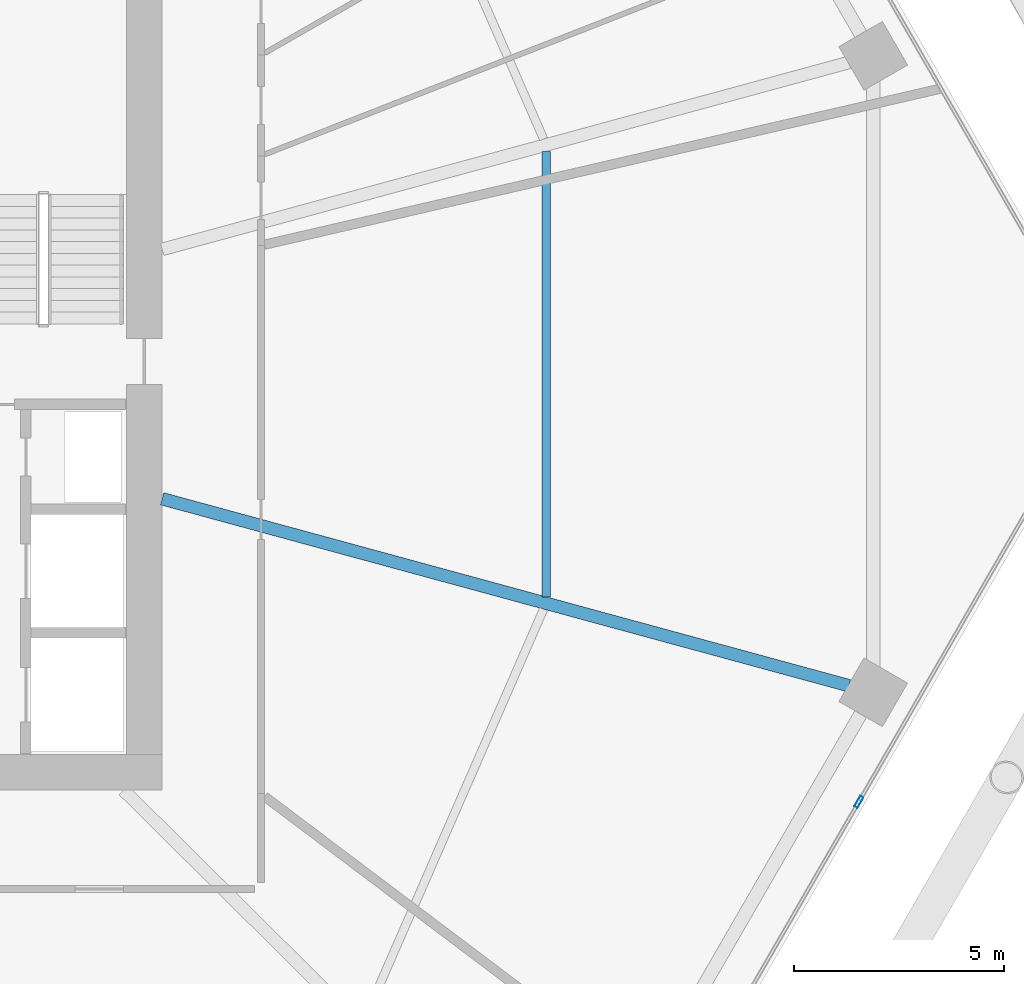
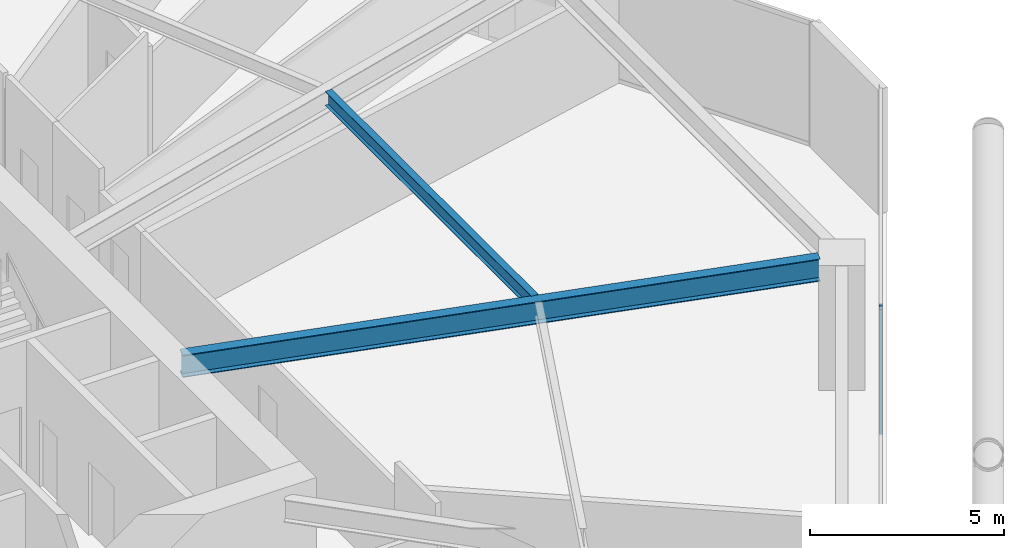
# One storey, part 11 of 29: 2 beams, 1 member, 1 element without a shape of its own.
"""IFC4 building model written with IfcOpenShell, lengths in metres."""

from ifc_helpers import new_model, si_unit, direction, frame, origin, origin_2d, place, context, subcontext, project, spatial, hollow_rectangle, i_section, extrude, material, material_profile, profile_set, type_object, element, aggregate, save


model = new_model("IFC4")

# Units and contexts
model_context = context("Model", 3, precision=1e-05, world=origin(), true_north=direction((0.0, 1.0)))
body_context = subcontext(model_context, "Body", "Model", "MODEL_VIEW")
ifc_project = project(units=[si_unit("LENGTHUNIT", "METRE"), si_unit("AREAUNIT", "SQUARE_METRE"), si_unit("VOLUMEUNIT", "CUBIC_METRE"), si_unit("PLANEANGLEUNIT", "RADIAN"), si_unit("MASSUNIT", "GRAM", prefix="KILO")], contexts=[model_context])

# Site, building, storey
site_placement = place(None, origin())
site = spatial("IfcSite", under=ifc_project, at=site_placement, CompositionType="ELEMENT")
building_placement = place(site_placement, origin())
building = spatial("IfcBuilding", under=site, at=building_placement, Name="Zuhravey Tower", CompositionType="ELEMENT")
storey_placement = place(building_placement, frame((0.0, 0.0, 41.39990234375)))
storey = spatial("IfcBuildingStorey", under=building, at=storey_placement, Name="L10", CompositionType="ELEMENT", Elevation=41.39990234375)

# Curtain wall, member
ifc_material_1 = material(Name="Thermally broken anodised aluminium", Category="aluminium")
curtain_wall_type = type_object("IfcCurtainWallType", Name="School Low-E Unitised Curtain Wall CW1", PredefinedType="NOTDEFINED", material=ifc_material_1)
curtain_wall_placement = place(storey_placement, origin())
curtain_wall = element("IfcCurtainWall", 1, at=curtain_wall_placement, inside=storey, type_object=curtain_wall_type, Name="L10 CW1 CW-L10-F6-1", PredefinedType="NOTDEFINED")
ifc_material_2 = material(Name="Anodised aluminium", Category="aluminium")
ifc_material_profile_1 = material_profile(ifc_material_2, hollow_rectangle(XDim=0.090087890625, YDim=0.284912109375, WallThickness=0.0048828125, at=origin_2d()), Name="ALU-RHS-90x285x5")
ifc_profile_set_1 = profile_set([ifc_material_profile_1], Name="Anodised aluminium")
member_type = type_object("IfcMemberType", Name="Curtain-Wall Mullion 90x180", PredefinedType="MULLION", material=ifc_profile_set_1)
member_placement = place(storey_placement, frame((63.54541015625, 21.79296875, 0.0), z_axis=(0.0, 0.0, 1.0), x_axis=(0.86602552265, -0.499999794119, 0.0)))
member = element("IfcMember", 2, at=member_placement, type_object=member_type, Name="CW1 mullion 2", PredefinedType="MULLION", context=body_context, shape_type="SweptSolid", body=[
    extrude(hollow_rectangle(XDim=0.090087890625, YDim=0.284912109375, WallThickness=0.0048828125, at=origin_2d()), origin(), (0.0, 0.0, 1.0), 3.920166015625),
])
aggregate(curtain_wall, [member])

# Beams
ifc_material_3 = material(Name="Steel SM355", Category="steel")
ifc_material_profile_2 = material_profile(ifc_material_3, i_section(OverallWidth=0.300048828125, OverallDepth=0.699951171875, WebThickness=0.012939453125, FlangeThickness=0.02392578125, at=origin_2d()), Name="H-700x300x13x24")
ifc_profile_set_2 = profile_set([ifc_material_profile_2], Name="Steel SM355")
beam_type_1 = type_object("IfcBeamType", Name="Radial Primary Girder H700x300", PredefinedType="BEAM", material=ifc_profile_set_2)
beam_1_placement = place(storey_placement, frame((46.927978515625, 29.025390625, 3.570068359375), z_axis=(0.964892480455, -0.26264520015, 0.0), x_axis=(0.26264520015, 0.964892480455, 0.0)))
element("IfcBeam", 3, at=beam_1_placement, inside=storey, type_object=beam_type_1, Name="L10 RG1 BM-L10-RAD-12", PredefinedType="BEAM", context=body_context, shape_type="SweptSolid", body=[
    extrude(i_section(OverallWidth=0.300048828125, OverallDepth=0.699951171875, WebThickness=0.012939453125, FlangeThickness=0.02392578125, at=origin_2d()), origin(), (0.0, 0.0, 1.0), 16.975341796875),
])
ifc_material_profile_3 = material_profile(ifc_material_3, i_section(OverallWidth=0.199951171875, OverallDepth=0.449951171875, WebThickness=0.009033203125, FlangeThickness=0.013916015625, at=origin_2d()), Name="H-450x200x9x14")
ifc_profile_set_3 = profile_set([ifc_material_profile_3], Name="Steel SM355")
beam_type_2 = type_object("IfcBeamType", Name="Secondary Floor Joist H450x200", PredefinedType="JOIST", material=ifc_profile_set_3)
beam_2_placement = place(storey_placement, frame((56.0869140625, 26.686279296875, 3.695068359375), z_axis=(0.0, 1.0, 0.0), x_axis=(-1.0, 0.0, 0.0)))
element("IfcBeam", 4, at=beam_2_placement, inside=storey, type_object=beam_type_2, Name="L10 SJ1 BM-L10-SJ-12-1", PredefinedType="JOIST", context=body_context, shape_type="SweptSolid", body=[
    extrude(i_section(OverallWidth=0.199951171875, OverallDepth=0.449951171875, WebThickness=0.009033203125, FlangeThickness=0.013916015625, at=origin_2d()), origin(), (0.0, 0.0, 1.0), 10.62744140625),
])

save(model, "model.ifc")
